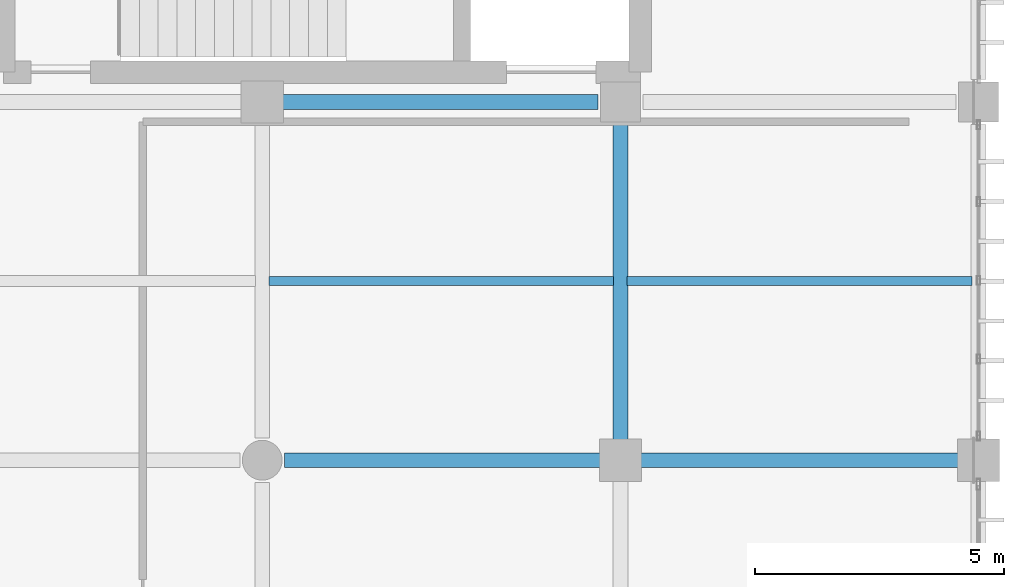
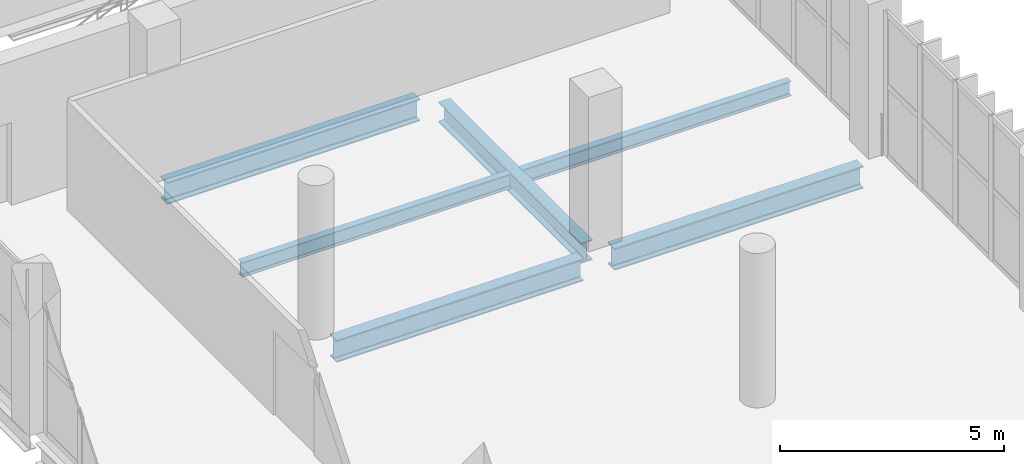
# One storey, part 87 of 153: 6 beams.
"""IFC4 building model written with IfcOpenShell, lengths in metres."""

from ifc_helpers import new_model, si_unit, direction, frame, origin, origin_2d, place, context, subcontext, project, spatial, i_section, extrude, material, material_profile, profile_set, type_object, element, save


model = new_model("IFC4")

# Units and contexts
model_context = context("Model", 3, precision=1e-05, world=origin(), true_north=direction((0.0, 1.0)))
body_context = subcontext(model_context, "Body", "Model", "MODEL_VIEW")
ifc_project = project(units=[si_unit("LENGTHUNIT", "METRE"), si_unit("AREAUNIT", "SQUARE_METRE"), si_unit("VOLUMEUNIT", "CUBIC_METRE"), si_unit("PLANEANGLEUNIT", "RADIAN"), si_unit("MASSUNIT", "GRAM", prefix="KILO")], contexts=[model_context])

# Site, building, storey
site_placement = place(None, origin())
site = spatial("IfcSite", under=ifc_project, at=site_placement, CompositionType="ELEMENT")
building_placement = place(site_placement, origin())
building = spatial("IfcBuilding", under=site, at=building_placement, Name="Qandorah Velis Arena", CompositionType="ELEMENT")
storey_placement = place(building_placement, frame((0.0, 0.0, 5.39990234375)))
storey = spatial("IfcBuildingStorey", under=building, at=storey_placement, Name="L01", CompositionType="ELEMENT", Elevation=5.39990234375)

# Beams
ifc_material = material(Name="Steel S355", Category="steel")
ifc_material_profile_1 = material_profile(ifc_material, i_section(OverallWidth=0.300048828125, OverallDepth=0.550048828125, WebThickness=0.014892578125, FlangeThickness=0.029052734375, FilletRadius=0.027099609375, at=origin_2d()), Name="HEB 550")
ifc_profile_set_1 = profile_set([ifc_material_profile_1], Name="Steel S355")
beam_type_1 = type_object("IfcBeamType", Name="STR-BM-HEB550", PredefinedType="BEAM", material=ifc_profile_set_1)
beam_1_placement = place(storey_placement, frame((165.60009765625, 72.39990234375, -0.635009765625), z_axis=(0.0, 1.0, 0.0), x_axis=(-1.0, 0.0, 0.0)))
element("IfcBeam", 1, at=beam_1_placement, inside=storey, type_object=beam_type_1, Name="Primary floor girder L01 Y-418", PredefinedType="BEAM", context=body_context, shape_type="SweptSolid", body=[
    extrude(i_section(OverallWidth=0.300048828125, OverallDepth=0.550048828125, WebThickness=0.014892578125, FlangeThickness=0.029052734375, FilletRadius=0.027099609375, at=origin_2d()), origin(), (0.0, 0.0, 1.0), 6.35009765625),
])
ifc_material_profile_2 = material_profile(ifc_material, i_section(OverallWidth=0.300048828125, OverallDepth=0.60009765625, WebThickness=0.015380859375, FlangeThickness=0.030029296875, FilletRadius=0.027099609375, at=origin_2d()), Name="HEB 600")
ifc_profile_set_2 = profile_set([ifc_material_profile_2], Name="Steel S355")
beam_type_2 = type_object("IfcBeamType", Name="STR-BM-HEB600", PredefinedType="BEAM", material=ifc_profile_set_2)
beam_2_placement = place(storey_placement, frame((158.85009765625, 72.0, -0.659912109375), z_axis=(1.0, 0.0, 0.0), x_axis=(0.0, 1.0, 0.0)))
element("IfcBeam", 2, at=beam_2_placement, inside=storey, type_object=beam_type_2, Name="Primary floor girder L01 X-121", PredefinedType="BEAM", context=body_context, shape_type="SweptSolid", body=[
    extrude(i_section(OverallWidth=0.300048828125, OverallDepth=0.60009765625, WebThickness=0.015380859375, FlangeThickness=0.030029296875, FilletRadius=0.027099609375, at=origin_2d()), origin(), (0.0, 0.0, 1.0), 6.349853515625),
])
beam_3_placement = place(storey_placement, frame((166.0, 72.0, -0.659912109375), z_axis=(1.0, 0.0, 0.0), x_axis=(0.0, 1.0, 0.0)))
element("IfcBeam", 3, at=beam_3_placement, inside=storey, type_object=beam_type_2, Name="Primary floor girder L01 X-122", PredefinedType="BEAM", context=body_context, shape_type="SweptSolid", body=[
    extrude(i_section(OverallWidth=0.300048828125, OverallDepth=0.60009765625, WebThickness=0.015380859375, FlangeThickness=0.030029296875, FilletRadius=0.027099609375, at=origin_2d()), origin(), (0.0, 0.0, 1.0), 6.39990234375),
])
beam_4_placement = place(storey_placement, frame((158.64990234375, 79.199951171875, -0.659912109375), z_axis=(1.0, 0.0, 0.0), x_axis=(0.0, 1.0, 0.0)))
element("IfcBeam", 4, at=beam_4_placement, inside=storey, type_object=beam_type_2, Name="Primary floor girder L01 X-128", PredefinedType="BEAM", context=body_context, shape_type="SweptSolid", body=[
    extrude(i_section(OverallWidth=0.300048828125, OverallDepth=0.60009765625, WebThickness=0.015380859375, FlangeThickness=0.030029296875, FilletRadius=0.027099609375, at=origin_2d()), origin(), (0.0, 0.0, 1.0), 6.5),
])
ifc_material_profile_3 = material_profile(ifc_material, i_section(OverallWidth=0.179931640625, OverallDepth=0.39990234375, WebThickness=0.008544921875, FlangeThickness=0.013427734375, FilletRadius=0.02099609375, at=origin_2d()), Name="IPE 400")
ifc_profile_set_3 = profile_set([ifc_material_profile_3], Name="Steel S355")
beam_type_3 = type_object("IfcBeamType", Name="STR-JST-IPE400", PredefinedType="JOIST", material=ifc_profile_set_3)
beam_5_placement = place(storey_placement, frame((158.534912109375, 75.60009765625, -0.559814453125), z_axis=(1.0, 0.0, 0.0), x_axis=(0.0, 1.0, 0.0)))
element("IfcBeam", 5, at=beam_5_placement, inside=storey, type_object=beam_type_3, Name="Secondary floor joist L01-151", PredefinedType="JOIST", context=body_context, shape_type="SweptSolid", body=[
    extrude(i_section(OverallWidth=0.179931640625, OverallDepth=0.39990234375, WebThickness=0.008544921875, FlangeThickness=0.013427734375, FilletRadius=0.02099609375, at=origin_2d()), origin(), (0.0, 0.0, 1.0), 6.93017578125),
])
beam_6_placement = place(storey_placement, frame((165.735107421875, 75.60009765625, -0.559814453125), z_axis=(1.0, 0.0, 0.0), x_axis=(0.0, 1.0, 0.0)))
element("IfcBeam", 6, at=beam_6_placement, inside=storey, type_object=beam_type_3, Name="Secondary floor joist L01-154", PredefinedType="JOIST", context=body_context, shape_type="SweptSolid", body=[
    extrude(i_section(OverallWidth=0.179931640625, OverallDepth=0.39990234375, WebThickness=0.008544921875, FlangeThickness=0.013427734375, FilletRadius=0.02099609375, at=origin_2d()), origin(), (0.0, 0.0, 1.0), 6.929931640625),
])

save(model, "model.ifc")
